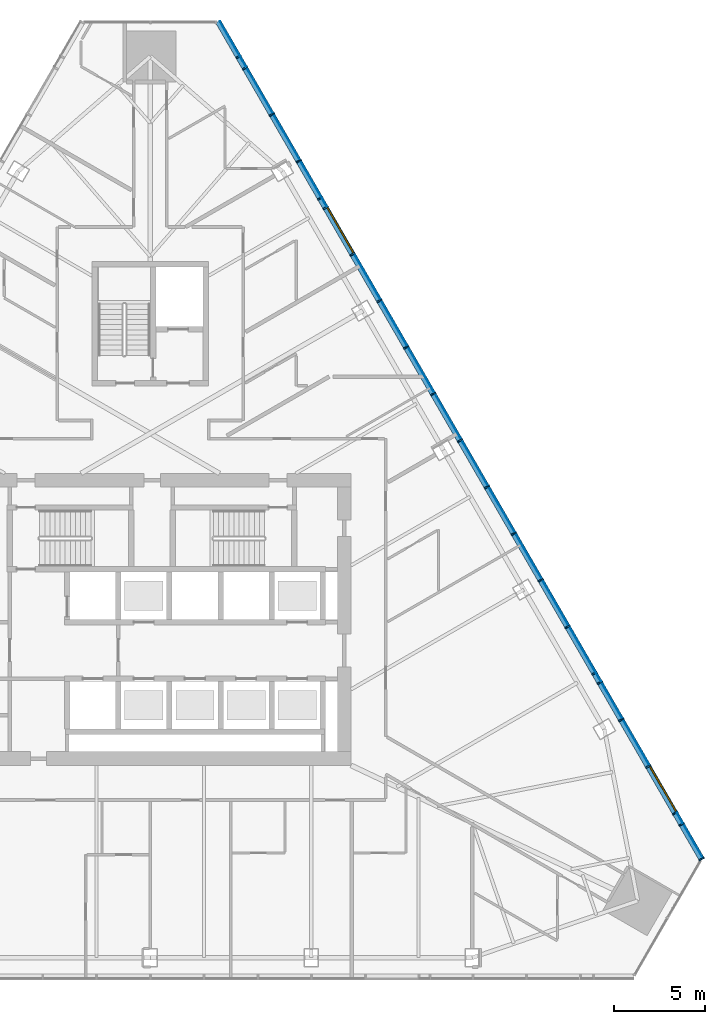
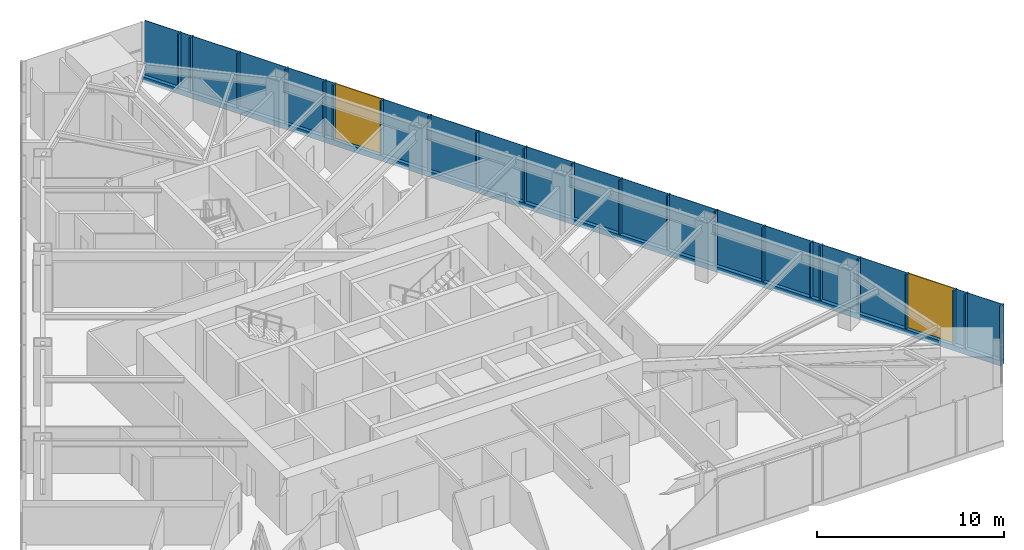
# One storey, part 9 of 19: 23 members, 20 plates, 2 windows, 2 openings, 1 element without a shape of its own.
"""IFC4 building model written with IfcOpenShell, lengths in metres."""

from ifc_helpers import new_model, si_unit, direction, frame, frame_2d, origin, origin_2d, place, context, subcontext, project, spatial, polyline, rectangle, outline, extrude, material, layer, layer_set, material_profile, profile_set, type_object, element, fill, aggregate, save


model = new_model("IFC4")

# Units and contexts
model_context = context("Model", 3, precision=1e-05, world=origin(), true_north=direction((0.0, 1.0)))
body_context = subcontext(model_context, "Body", "Model", "MODEL_VIEW")
ifc_project = project(units=[si_unit("LENGTHUNIT", "METRE"), si_unit("AREAUNIT", "SQUARE_METRE"), si_unit("VOLUMEUNIT", "CUBIC_METRE"), si_unit("PLANEANGLEUNIT", "RADIAN"), si_unit("MASSUNIT", "GRAM", prefix="KILO")], contexts=[model_context])

# Site, building, storey
site_placement = place(None, origin())
site = spatial("IfcSite", under=ifc_project, at=site_placement, CompositionType="ELEMENT")
building_placement = place(site_placement, origin())
building = spatial("IfcBuilding", under=site, at=building_placement, Name="Firuza Gate Tower and Library", CompositionType="ELEMENT")
storey_placement = place(building_placement, frame((0.0, 0.0, 183.10009765625)))
storey = spatial("IfcBuildingStorey", under=building, at=storey_placement, Name="L42", CompositionType="ELEMENT", Elevation=183.10009765625)

# Curtain wall, openings, members, plates, windows
ifc_material_1 = material(Name="Aluminium 6063-T6", Category="aluminium")
ifc_layer_1 = layer(ifc_material_1, 0.14990234375)
ifc_layer_set_1 = layer_set([ifc_layer_1], Name="Unitised curtain wall, hotel")
curtain_wall_type = type_object("IfcCurtainWallType", Name="Unitised curtain wall, hotel", PredefinedType="NOTDEFINED", material=ifc_layer_set_1)
curtain_wall_placement = place(storey_placement, origin())
curtain_wall = element("IfcCurtainWall", 1, at=curtain_wall_placement, inside=storey, type_object=curtain_wall_type, Name="CW2 L42 E face", PredefinedType="NOTDEFINED")
opening_1_placement = place(curtain_wall_placement, frame((103.812255859375, 64.466064453125, 0.14990234375), z_axis=(0.0, 0.0, 1.0), x_axis=(-0.5, 0.866025, 0.0)))
opening_1 = element("IfcOpeningElement", 2, at=opening_1_placement, cuts=curtain_wall, Name="Opening WD1-001", PredefinedType="OPENING", context=body_context, shape_type="SweptSolid", body=[
    extrude(rectangle(XDim=2.8662109375, YDim=3.550048828125, at=frame_2d((1.43310546875, 1.77490234375))), frame((0.0, 0.0849609375, 0.0), z_axis=(0.0, -1.0, 0.0), x_axis=(1.0, 0.0, 0.0)), (0.0, 0.0, 1.0), 0.169921875),
])
opening_2_placement = place(curtain_wall_placement, frame((86.1357421875, 95.082763671875, 0.14990234375), z_axis=(0.0, 0.0, 1.0), x_axis=(-0.5, 0.866025, 0.0)))
opening_2 = element("IfcOpeningElement", 3, at=opening_2_placement, cuts=curtain_wall, Name="Opening WD1-002", PredefinedType="OPENING", context=body_context, shape_type="SweptSolid", body=[
    extrude(rectangle(XDim=2.8662109375, YDim=3.550048828125, at=frame_2d((1.43310546875, 1.77490234375))), frame((0.0, 0.0849609375, 0.0), z_axis=(0.0, -1.0, 0.0), x_axis=(1.0, 0.0, 0.0)), (0.0, 0.0, 1.0), 0.169921875),
])
ifc_material_2 = material(Name="Aluminium 6063-T6", Category="aluminium")
ifc_material_profile_1 = material_profile(ifc_material_2, rectangle(XDim=0.320068359375, YDim=0.080078125, at=origin_2d()))
ifc_profile_set_1 = profile_set([ifc_material_profile_1], Name="Aluminium 6063-T6")
member_type_1 = type_object("IfcMemberType", Name="Curtain wall mullion 80x320", PredefinedType="MULLION", material=ifc_profile_set_1)
member_1_placement = place(storey_placement, frame((105.211669921875, 61.872314453125, 0.14990234375), z_axis=(0.0, 0.0, 1.0), x_axis=(-0.866025403784, -0.5, 0.0)))
member_1 = element("IfcMember", 4, at=member_1_placement, type_object=member_type_1, Name="Mullion", PredefinedType="MULLION", context=body_context, shape_type="SweptSolid", body=[
    extrude(rectangle(XDim=0.320068359375, YDim=0.080078125, at=origin_2d()), origin(), (0.0, 0.0, 1.0), 3.550048828125),
])
member_2_placement = place(storey_placement, frame((103.7587890625, 64.388916015625, 0.14990234375), z_axis=(0.0, 0.0, 1.0), x_axis=(-0.866025403784, -0.5, 0.0)))
member_2 = element("IfcMember", 5, at=member_2_placement, type_object=member_type_1, Name="Mullion", PredefinedType="MULLION", context=body_context, shape_type="SweptSolid", body=[
    extrude(rectangle(XDim=0.320068359375, YDim=0.080078125, at=origin_2d()), origin(), (0.0, 0.0, 1.0), 3.550048828125),
])
member_3_placement = place(storey_placement, frame((102.28564453125, 66.9404296875, 0.14990234375), z_axis=(0.0, 0.0, 1.0), x_axis=(-0.866025403784, -0.5, 0.0)))
member_3 = element("IfcMember", 6, at=member_3_placement, type_object=member_type_1, Name="Mullion", PredefinedType="MULLION", context=body_context, shape_type="SweptSolid", body=[
    extrude(rectangle(XDim=0.320068359375, YDim=0.080078125, at=origin_2d()), origin(), (0.0, 0.0, 1.0), 3.550048828125),
])
member_4_placement = place(storey_placement, frame((100.812744140625, 69.49169921875, 0.14990234375), z_axis=(0.0, 0.0, 1.0), x_axis=(-0.866025403784, -0.5, 0.0)))
member_4 = element("IfcMember", 7, at=member_4_placement, type_object=member_type_1, Name="Mullion", PredefinedType="MULLION", context=body_context, shape_type="SweptSolid", body=[
    extrude(rectangle(XDim=0.320068359375, YDim=0.080078125, at=origin_2d()), origin(), (0.0, 0.0, 1.0), 3.550048828125),
])
member_5_placement = place(storey_placement, frame((99.339599609375, 72.043212890625, 0.14990234375), z_axis=(0.0, 0.0, 1.0), x_axis=(-0.866025403784, -0.5, 0.0)))
member_5 = element("IfcMember", 8, at=member_5_placement, type_object=member_type_1, Name="Mullion", PredefinedType="MULLION", context=body_context, shape_type="SweptSolid", body=[
    extrude(rectangle(XDim=0.320068359375, YDim=0.080078125, at=origin_2d()), origin(), (0.0, 0.0, 1.0), 3.550048828125),
])
member_6_placement = place(storey_placement, frame((97.866455078125, 74.594482421875, 0.14990234375), z_axis=(0.0, 0.0, 1.0), x_axis=(-0.866025403784, -0.5, 0.0)))
member_6 = element("IfcMember", 9, at=member_6_placement, type_object=member_type_1, Name="Mullion", PredefinedType="MULLION", context=body_context, shape_type="SweptSolid", body=[
    extrude(rectangle(XDim=0.320068359375, YDim=0.080078125, at=origin_2d()), origin(), (0.0, 0.0, 1.0), 3.550048828125),
])
member_7_placement = place(storey_placement, frame((96.3935546875, 77.14599609375, 0.14990234375), z_axis=(0.0, 0.0, 1.0), x_axis=(-0.866025403784, -0.5, 0.0)))
member_7 = element("IfcMember", 10, at=member_7_placement, type_object=member_type_1, Name="Mullion", PredefinedType="MULLION", context=body_context, shape_type="SweptSolid", body=[
    extrude(rectangle(XDim=0.320068359375, YDim=0.080078125, at=origin_2d()), origin(), (0.0, 0.0, 1.0), 3.550048828125),
])
member_8_placement = place(storey_placement, frame((94.92041015625, 79.697265625, 0.14990234375), z_axis=(0.0, 0.0, 1.0), x_axis=(-0.866025403784, -0.5, 0.0)))
member_8 = element("IfcMember", 11, at=member_8_placement, type_object=member_type_1, Name="Mullion", PredefinedType="MULLION", context=body_context, shape_type="SweptSolid", body=[
    extrude(rectangle(XDim=0.320068359375, YDim=0.080078125, at=origin_2d()), origin(), (0.0, 0.0, 1.0), 3.550048828125),
])
member_9_placement = place(storey_placement, frame((93.447509765625, 82.248779296875, 0.14990234375), z_axis=(0.0, 0.0, 1.0), x_axis=(-0.866025403784, -0.5, 0.0)))
member_9 = element("IfcMember", 12, at=member_9_placement, type_object=member_type_1, Name="Mullion", PredefinedType="MULLION", context=body_context, shape_type="SweptSolid", body=[
    extrude(rectangle(XDim=0.320068359375, YDim=0.080078125, at=origin_2d()), origin(), (0.0, 0.0, 1.0), 3.550048828125),
])
member_10_placement = place(storey_placement, frame((91.974365234375, 84.800048828125, 0.14990234375), z_axis=(0.0, 0.0, 1.0), x_axis=(-0.866025403784, -0.5, 0.0)))
member_10 = element("IfcMember", 13, at=member_10_placement, type_object=member_type_1, Name="Mullion", PredefinedType="MULLION", context=body_context, shape_type="SweptSolid", body=[
    extrude(rectangle(XDim=0.320068359375, YDim=0.080078125, at=origin_2d()), origin(), (0.0, 0.0, 1.0), 3.550048828125),
])
member_11_placement = place(storey_placement, frame((90.501220703125, 87.3515625, 0.14990234375), z_axis=(0.0, 0.0, 1.0), x_axis=(-0.866025403784, -0.5, 0.0)))
member_11 = element("IfcMember", 14, at=member_11_placement, type_object=member_type_1, Name="Mullion", PredefinedType="MULLION", context=body_context, shape_type="SweptSolid", body=[
    extrude(rectangle(XDim=0.320068359375, YDim=0.080078125, at=origin_2d()), origin(), (0.0, 0.0, 1.0), 3.550048828125),
])
member_12_placement = place(storey_placement, frame((89.0283203125, 89.90283203125, 0.14990234375), z_axis=(0.0, 0.0, 1.0), x_axis=(-0.866025403784, -0.5, 0.0)))
member_12 = element("IfcMember", 15, at=member_12_placement, type_object=member_type_1, Name="Mullion", PredefinedType="MULLION", context=body_context, shape_type="SweptSolid", body=[
    extrude(rectangle(XDim=0.320068359375, YDim=0.080078125, at=origin_2d()), origin(), (0.0, 0.0, 1.0), 3.550048828125),
])
member_13_placement = place(storey_placement, frame((87.55517578125, 92.454345703125, 0.14990234375), z_axis=(0.0, 0.0, 1.0), x_axis=(-0.866025403784, -0.5, 0.0)))
member_13 = element("IfcMember", 16, at=member_13_placement, type_object=member_type_1, Name="Mullion", PredefinedType="MULLION", context=body_context, shape_type="SweptSolid", body=[
    extrude(rectangle(XDim=0.320068359375, YDim=0.080078125, at=origin_2d()), origin(), (0.0, 0.0, 1.0), 3.550048828125),
])
member_14_placement = place(storey_placement, frame((86.082275390625, 95.005615234375, 0.14990234375), z_axis=(0.0, 0.0, 1.0), x_axis=(-0.866025403784, -0.5, 0.0)))
member_14 = element("IfcMember", 17, at=member_14_placement, type_object=member_type_1, Name="Mullion", PredefinedType="MULLION", context=body_context, shape_type="SweptSolid", body=[
    extrude(rectangle(XDim=0.320068359375, YDim=0.080078125, at=origin_2d()), origin(), (0.0, 0.0, 1.0), 3.550048828125),
])
member_15_placement = place(storey_placement, frame((84.609130859375, 97.55712890625, 0.14990234375), z_axis=(0.0, 0.0, 1.0), x_axis=(-0.866025403784, -0.5, 0.0)))
member_15 = element("IfcMember", 18, at=member_15_placement, type_object=member_type_1, Name="Mullion", PredefinedType="MULLION", context=body_context, shape_type="SweptSolid", body=[
    extrude(rectangle(XDim=0.320068359375, YDim=0.080078125, at=origin_2d()), origin(), (0.0, 0.0, 1.0), 3.550048828125),
])
member_16_placement = place(storey_placement, frame((83.135986328125, 100.1083984375, 0.14990234375), z_axis=(0.0, 0.0, 1.0), x_axis=(-0.866025403784, -0.5, 0.0)))
member_16 = element("IfcMember", 19, at=member_16_placement, type_object=member_type_1, Name="Mullion", PredefinedType="MULLION", context=body_context, shape_type="SweptSolid", body=[
    extrude(rectangle(XDim=0.320068359375, YDim=0.080078125, at=origin_2d()), origin(), (0.0, 0.0, 1.0), 3.550048828125),
])
member_17_placement = place(storey_placement, frame((81.6630859375, 102.659912109375, 0.14990234375), z_axis=(0.0, 0.0, 1.0), x_axis=(-0.866025403784, -0.5, 0.0)))
member_17 = element("IfcMember", 20, at=member_17_placement, type_object=member_type_1, Name="Mullion", PredefinedType="MULLION", context=body_context, shape_type="SweptSolid", body=[
    extrude(rectangle(XDim=0.320068359375, YDim=0.080078125, at=origin_2d()), origin(), (0.0, 0.0, 1.0), 3.550048828125),
])
member_18_placement = place(storey_placement, frame((80.18994140625, 105.211181640625, 0.14990234375), z_axis=(0.0, 0.0, 1.0), x_axis=(-0.866025403784, -0.5, 0.0)))
member_18 = element("IfcMember", 21, at=member_18_placement, type_object=member_type_1, Name="Mullion", PredefinedType="MULLION", context=body_context, shape_type="SweptSolid", body=[
    extrude(rectangle(XDim=0.320068359375, YDim=0.080078125, at=origin_2d()), origin(), (0.0, 0.0, 1.0), 3.550048828125),
])
member_19_placement = place(storey_placement, frame((104.11572265625, 63.7705078125, 0.14990234375), z_axis=(0.0, 0.0, 1.0), x_axis=(-0.866025403784, -0.5, 0.0)))
member_19 = element("IfcMember", 22, at=member_19_placement, type_object=member_type_1, Name="Mullion", PredefinedType="MULLION", context=body_context, shape_type="SweptSolid", body=[
    extrude(rectangle(XDim=0.320068359375, YDim=0.080078125, at=origin_2d()), origin(), (0.0, 0.0, 1.0), 3.550048828125),
])
member_20_placement = place(storey_placement, frame((99.634765625, 71.53173828125, 0.14990234375), z_axis=(0.0, 0.0, 1.0), x_axis=(-0.866025403784, -0.5, 0.0)))
member_20 = element("IfcMember", 23, at=member_20_placement, type_object=member_type_1, Name="Mullion", PredefinedType="MULLION", context=body_context, shape_type="SweptSolid", body=[
    extrude(rectangle(XDim=0.320068359375, YDim=0.080078125, at=origin_2d()), origin(), (0.0, 0.0, 1.0), 3.550048828125),
])
member_21_placement = place(storey_placement, frame((84.31396484375, 98.068359375, 0.14990234375), z_axis=(0.0, 0.0, 1.0), x_axis=(-0.866025403784, -0.5, 0.0)))
member_21 = element("IfcMember", 24, at=member_21_placement, type_object=member_type_1, Name="Mullion", PredefinedType="MULLION", context=body_context, shape_type="SweptSolid", body=[
    extrude(rectangle(XDim=0.320068359375, YDim=0.080078125, at=origin_2d()), origin(), (0.0, 0.0, 1.0), 3.550048828125),
])
member_22_placement = place(storey_placement, frame((79.8330078125, 105.82958984375, 0.14990234375), z_axis=(0.0, 0.0, 1.0), x_axis=(-0.866025403784, -0.5, 0.0)))
member_22 = element("IfcMember", 25, at=member_22_placement, type_object=member_type_1, Name="Mullion", PredefinedType="MULLION", context=body_context, shape_type="SweptSolid", body=[
    extrude(rectangle(XDim=0.320068359375, YDim=0.080078125, at=origin_2d()), origin(), (0.0, 0.0, 1.0), 3.550048828125),
])
ifc_material_3 = material(Name="Aluminium 6063-T6", Category="aluminium")
ifc_material_profile_2 = material_profile(ifc_material_3, rectangle(XDim=0.320068359375, YDim=0.35009765625, at=origin_2d()))
ifc_profile_set_2 = profile_set([ifc_material_profile_2], Name="Aluminium 6063-T6")
member_type_2 = type_object("IfcMemberType", Name="Curtain wall transom 350x320", PredefinedType="USERDEFINED", material=ifc_profile_set_2)
member_23_placement = place(storey_placement, frame((105.231689453125, 61.837646484375, -0.025146484375), z_axis=(-0.500000753464, 0.866024968771, 0.0), x_axis=(-0.866024968771, -0.500000753464, 0.0)))
member_23 = element("IfcMember", 26, at=member_23_placement, type_object=member_type_2, Name="Transom", ObjectType="TRANSOM", PredefinedType="USERDEFINED", context=body_context, shape_type="SweptSolid", body=[
    extrude(rectangle(XDim=0.320068359375, YDim=0.35009765625, at=origin_2d()), origin(), (0.0, 0.0, 1.0), 53.02978515625),
])
ifc_material_4 = material(Name="Fritted glass", Category="glass")
ifc_layer_2 = layer(ifc_material_4, 0.030029296875)
ifc_layer_set_2 = layer_set([ifc_layer_2], Name="Fritted glass unit, hotel")
plate_type_1 = type_object("IfcPlateType", Name="Fritted glass unit, hotel", PredefinedType="CURTAIN_PANEL", material=ifc_layer_set_2)
plate_1_placement = place(storey_placement, frame((104.182373046875, 63.855224609375, 0.14990234375), z_axis=(0.86593548506, 0.500155711468, 0.0), x_axis=(-0.500155711468, 0.86593548506, 0.0)))
plate_1 = element("IfcPlate", 27, at=plate_1_placement, type_object=plate_type_1, Name="Glass unit", PredefinedType="CURTAIN_PANEL", context=body_context, shape_type="SweptSolid", body=[
    extrude(outline(polyline([(0.0, 0.0), (0.6340798767325844, 0.0), (0.6340798767325844, 3.550048828125), (0.0, 3.550048828125), (0.0, 0.0)])), origin(), (0.0, 0.0, -1.0), 0.030029296875),
])
plate_2_placement = place(storey_placement, frame((99.701416015625, 71.616455078125, 0.14990234375), z_axis=(0.866145771757, 0.499791458579, 0.0), x_axis=(-0.499791458579, 0.866145771757, 0.0)))
plate_2 = element("IfcPlate", 28, at=plate_2_placement, type_object=plate_type_1, Name="Glass unit", PredefinedType="CURTAIN_PANEL", context=body_context, shape_type="SweptSolid", body=[
    extrude(outline(polyline([(0.0, 0.0), (0.5104668131996779, 0.0), (0.5104668131996779, 3.550048828125), (0.0, 3.550048828125), (0.0, 0.0)])), origin(), (0.0, 0.0, -1.0), 0.030029296875),
])
plate_3_placement = place(storey_placement, frame((99.40625, 72.1279296875, 0.14990234375), z_axis=(0.866001162221, 0.500041985268, 0.0), x_axis=(-0.500041985268, 0.866001162221, 0.0)))
plate_3 = element("IfcPlate", 29, at=plate_3_placement, type_object=plate_type_1, Name="Glass unit", PredefinedType="CURTAIN_PANEL", context=body_context, shape_type="SweptSolid", body=[
    extrude(outline(polyline([(0.0, 0.0), (2.865970280436618, 0.0), (2.865970280436618, 3.550048828125), (0.0, 3.550048828125), (0.0, 0.0)])), origin(), (0.0, 0.0, -1.0), 0.030029296875),
])
plate_4_placement = place(storey_placement, frame((94.987060546875, 79.781982421875, 0.14990234375), z_axis=(0.866022459948, 0.500005098839, 0.0), x_axis=(-0.500005098839, 0.866022459948, 0.0)))
plate_4 = element("IfcPlate", 30, at=plate_4_placement, type_object=plate_type_1, Name="Glass unit", PredefinedType="CURTAIN_PANEL", context=body_context, shape_type="SweptSolid", body=[
    extrude(outline(polyline([(0.0, 0.0), (2.8661817091015296, 0.0), (2.8661817091015296, 3.550048828125), (0.0, 3.550048828125), (0.0, 0.0)])), origin(), (0.0, 0.0, -1.0), 0.030029296875),
])
plate_5_placement = place(storey_placement, frame((90.56787109375, 87.436279296875, 0.14990234375), z_axis=(0.866001162221, 0.500041985268, 0.0), x_axis=(-0.500041985268, 0.866001162221, 0.0)))
plate_5 = element("IfcPlate", 31, at=plate_5_placement, type_object=plate_type_1, Name="Glass unit", PredefinedType="CURTAIN_PANEL", context=body_context, shape_type="SweptSolid", body=[
    extrude(outline(polyline([(0.0, 0.0), (2.865970280436618, 0.0), (2.865970280436618, 3.550048828125), (0.0, 3.550048828125), (0.0, 0.0)])), origin(), (0.0, 0.0, -1.0), 0.030029296875),
])
plate_6_placement = place(storey_placement, frame((84.67578125, 97.641845703125, 0.14990234375), z_axis=(0.865819023004, 0.500357291747, 0.0), x_axis=(-0.500357291747, 0.865819023004, 0.0)))
plate_6 = element("IfcPlate", 32, at=plate_6_placement, type_object=plate_type_1, Name="Glass unit", PredefinedType="CURTAIN_PANEL", context=body_context, shape_type="SweptSolid", body=[
    extrude(outline(polyline([(0.0, 0.0), (0.5103774801769064, 0.0), (0.5103774801769064, 3.550048828125), (0.0, 3.550048828125), (0.0, 0.0)])), origin(), (0.0, 0.0, -1.0), 0.030029296875),
])
plate_7_placement = place(storey_placement, frame((81.7294921875, 102.74462890625, 0.14990234375), z_axis=(0.866038050133, 0.499978095242, 0.0), x_axis=(-0.499978095242, 0.866038050133, 0.0)))
plate_7 = element("IfcPlate", 33, at=plate_7_placement, type_object=plate_type_1, Name="Glass unit", PredefinedType="CURTAIN_PANEL", context=body_context, shape_type="SweptSolid", body=[
    extrude(outline(polyline([(0.0, 0.0), (2.865848207672718, 0.0), (2.865848207672718, 3.550048828125), (0.0, 3.550048828125), (0.0, 0.0)])), origin(), (0.0, 0.0, -1.0), 0.030029296875),
])
plate_8_placement = place(storey_placement, frame((80.256591796875, 105.2958984375, 0.14990234375), z_axis=(0.86593548506, 0.500155711468, 0.0), x_axis=(-0.500155711468, 0.86593548506, 0.0)))
plate_8 = element("IfcPlate", 34, at=plate_8_placement, type_object=plate_type_1, Name="Glass unit", PredefinedType="CURTAIN_PANEL", context=body_context, shape_type="SweptSolid", body=[
    extrude(outline(polyline([(0.0, 0.0), (0.6340798767325844, 0.0), (0.6340798767325844, 3.550048828125), (0.0, 3.550048828125), (0.0, 0.0)])), origin(), (0.0, 0.0, -1.0), 0.030029296875),
])
ifc_material_5 = material(Name="Glazed ceramic tile")
ifc_layer_3 = layer(ifc_material_5, 0.030029296875)
ifc_layer_set_3 = layer_set([ifc_layer_3], Name="Opaque ceramic panel, hotel")
plate_type_2 = type_object("IfcPlateType", Name="Opaque ceramic panel, hotel", PredefinedType="CURTAIN_PANEL", material=ifc_layer_set_3)
plate_9_placement = place(storey_placement, frame((105.29833984375, 61.922119140625, 0.14990234375), z_axis=(0.866049569431, 0.499958141536, 0.0), x_axis=(-0.499958141536, 0.866049569431, 0.0)))
plate_9 = element("IfcPlate", 35, at=plate_9_placement, type_object=plate_type_2, Name="Opaque ceramic panel", PredefinedType="CURTAIN_PANEL", context=body_context, shape_type="SweptSolid", body=[
    extrude(outline(polyline([(0.0, 0.0), (2.1520356305631108, 0.0), (2.1520356305631108, 3.550048828125), (0.0, 3.550048828125), (0.0, 0.0)])), origin(), (0.0, 0.0, -1.0), 0.030029296875),
])
plate_10_placement = place(storey_placement, frame((102.352294921875, 67.02490234375, 0.14990234375), z_axis=(0.866022459948, 0.500005098839, 0.0), x_axis=(-0.500005098839, 0.866022459948, 0.0)))
plate_10 = element("IfcPlate", 36, at=plate_10_placement, type_object=plate_type_2, Name="Opaque ceramic panel", PredefinedType="CURTAIN_PANEL", context=body_context, shape_type="SweptSolid", body=[
    extrude(outline(polyline([(0.0, 0.0), (2.8661817091015296, 0.0), (2.8661817091015296, 3.550048828125), (0.0, 3.550048828125), (0.0, 0.0)])), origin(), (0.0, 0.0, -1.0), 0.030029296875),
])
plate_11_placement = place(storey_placement, frame((100.879150390625, 69.576416015625, 0.14990234375), z_axis=(0.866042656442, 0.49997011633, 0.0), x_axis=(-0.49997011633, 0.866042656442, 0.0)))
plate_11 = element("IfcPlate", 37, at=plate_11_placement, type_object=plate_type_2, Name="Opaque ceramic panel", PredefinedType="CURTAIN_PANEL", context=body_context, shape_type="SweptSolid", body=[
    extrude(outline(polyline([(0.0, 0.0), (2.275526627172101, 0.0), (2.275526627172101, 3.550048828125), (0.0, 3.550048828125), (0.0, 0.0)])), origin(), (0.0, 0.0, -1.0), 0.030029296875),
])
plate_12_placement = place(storey_placement, frame((97.93310546875, 74.67919921875, 0.14990234375), z_axis=(0.866022459948, 0.500005098839, 0.0), x_axis=(-0.500005098839, 0.866022459948, 0.0)))
plate_12 = element("IfcPlate", 38, at=plate_12_placement, type_object=plate_type_2, Name="Opaque ceramic panel", PredefinedType="CURTAIN_PANEL", context=body_context, shape_type="SweptSolid", body=[
    extrude(outline(polyline([(0.0, 0.0), (2.8661817091015296, 0.0), (2.8661817091015296, 3.550048828125), (0.0, 3.550048828125), (0.0, 0.0)])), origin(), (0.0, 0.0, -1.0), 0.030029296875),
])
plate_13_placement = place(storey_placement, frame((96.460205078125, 77.230712890625, 0.14990234375), z_axis=(0.866001162221, 0.500041985268, 0.0), x_axis=(-0.500041985268, 0.866001162221, 0.0)))
plate_13 = element("IfcPlate", 39, at=plate_13_placement, type_object=plate_type_2, Name="Opaque ceramic panel", PredefinedType="CURTAIN_PANEL", context=body_context, shape_type="SweptSolid", body=[
    extrude(outline(polyline([(0.0, 0.0), (2.865970280436618, 0.0), (2.865970280436618, 3.550048828125), (0.0, 3.550048828125), (0.0, 0.0)])), origin(), (0.0, 0.0, -1.0), 0.030029296875),
])
plate_14_placement = place(storey_placement, frame((93.513916015625, 82.33349609375, 0.14990234375), z_axis=(0.866038050133, 0.499978095242, 0.0), x_axis=(-0.499978095242, 0.866038050133, 0.0)))
plate_14 = element("IfcPlate", 40, at=plate_14_placement, type_object=plate_type_2, Name="Opaque ceramic panel", PredefinedType="CURTAIN_PANEL", context=body_context, shape_type="SweptSolid", body=[
    extrude(outline(polyline([(0.0, 0.0), (2.865848207672718, 0.0), (2.865848207672718, 3.550048828125), (0.0, 3.550048828125), (0.0, 0.0)])), origin(), (0.0, 0.0, -1.0), 0.030029296875),
])
plate_15_placement = place(storey_placement, frame((92.041015625, 84.884765625, 0.14990234375), z_axis=(0.866022459948, 0.500005098839, 0.0), x_axis=(-0.500005098839, 0.866022459948, 0.0)))
plate_15 = element("IfcPlate", 41, at=plate_15_placement, type_object=plate_type_2, Name="Opaque ceramic panel", PredefinedType="CURTAIN_PANEL", context=body_context, shape_type="SweptSolid", body=[
    extrude(outline(polyline([(0.0, 0.0), (2.8661817091015296, 0.0), (2.8661817091015296, 3.550048828125), (0.0, 3.550048828125), (0.0, 0.0)])), origin(), (0.0, 0.0, -1.0), 0.030029296875),
])
plate_16_placement = place(storey_placement, frame((89.094970703125, 89.987548828125, 0.14990234375), z_axis=(0.866022459948, 0.500005098839, 0.0), x_axis=(-0.500005098839, 0.866022459948, 0.0)))
plate_16 = element("IfcPlate", 42, at=plate_16_placement, type_object=plate_type_2, Name="Opaque ceramic panel", PredefinedType="CURTAIN_PANEL", context=body_context, shape_type="SweptSolid", body=[
    extrude(outline(polyline([(0.0, 0.0), (2.8661817091015296, 0.0), (2.8661817091015296, 3.550048828125), (0.0, 3.550048828125), (0.0, 0.0)])), origin(), (0.0, 0.0, -1.0), 0.030029296875),
])
plate_17_placement = place(storey_placement, frame((87.621826171875, 92.5390625, 0.14990234375), z_axis=(0.866001162221, 0.500041985268, 0.0), x_axis=(-0.500041985268, 0.866001162221, 0.0)))
plate_17 = element("IfcPlate", 43, at=plate_17_placement, type_object=plate_type_2, Name="Opaque ceramic panel", PredefinedType="CURTAIN_PANEL", context=body_context, shape_type="SweptSolid", body=[
    extrude(outline(polyline([(0.0, 0.0), (2.865970280436618, 0.0), (2.865970280436618, 3.550048828125), (0.0, 3.550048828125), (0.0, 0.0)])), origin(), (0.0, 0.0, -1.0), 0.030029296875),
])
plate_18_placement = place(storey_placement, frame((84.380615234375, 98.153076171875, 0.14990234375), z_axis=(0.865996199233, 0.500050580355, 0.0), x_axis=(-0.500050580355, 0.865996199233, 0.0)))
plate_18 = element("IfcPlate", 44, at=plate_18_placement, type_object=plate_type_2, Name="Opaque ceramic panel", PredefinedType="CURTAIN_PANEL", context=body_context, shape_type="SweptSolid", body=[
    extrude(outline(polyline([(0.0, 0.0), (2.2756487000113155, 0.0), (2.2756487000113155, 3.550048828125), (0.0, 3.550048828125), (0.0, 0.0)])), origin(), (0.0, 0.0, -1.0), 0.030029296875),
])
plate_19_placement = place(storey_placement, frame((83.20263671875, 100.193115234375, 0.14990234375), z_axis=(0.866022459948, 0.500005098839, 0.0), x_axis=(-0.500005098839, 0.866022459948, 0.0)))
plate_19 = element("IfcPlate", 45, at=plate_19_placement, type_object=plate_type_2, Name="Opaque ceramic panel", PredefinedType="CURTAIN_PANEL", context=body_context, shape_type="SweptSolid", body=[
    extrude(outline(polyline([(0.0, 0.0), (2.8661817091015296, 0.0), (2.8661817091015296, 3.550048828125), (0.0, 3.550048828125), (0.0, 0.0)])), origin(), (0.0, 0.0, -1.0), 0.030029296875),
])
plate_20_placement = place(storey_placement, frame((79.8994140625, 105.914306640625, 0.14990234375), z_axis=(0.866049569431, 0.499958141536, 0.0), x_axis=(-0.499958141536, 0.866049569431, 0.0)))
plate_20 = element("IfcPlate", 46, at=plate_20_placement, type_object=plate_type_2, Name="Opaque ceramic panel", PredefinedType="CURTAIN_PANEL", context=body_context, shape_type="SweptSolid", body=[
    extrude(outline(polyline([(0.0, 0.0), (2.1520356305631108, 0.0), (2.1520356305631108, 3.550048828125), (0.0, 3.550048828125), (0.0, 0.0)])), origin(), (0.0, 0.0, -1.0), 0.030029296875),
])
aggregate(curtain_wall, [member_1, member_2, member_3, member_4, member_5, member_6, member_7, member_8, member_9, member_10, member_11, member_12, member_13, member_14, member_15, member_16, member_17, member_18, member_23, plate_9, plate_1, member_19, plate_10, plate_11, plate_2, member_20, plate_3, plate_12, plate_13, plate_4, plate_14, plate_15, plate_5, plate_16, plate_17, plate_6, plate_18, member_21, plate_19, plate_7, plate_8, plate_20, member_22])
ifc_material_6 = material(Name="Aluminium 6063-T6 and glass", Category="aluminium")
ifc_layer_4 = layer(ifc_material_6, 0.030029296875)
ifc_layer_set_4 = layer_set([ifc_layer_4], Name="Operable glazed unit")
window_type = type_object("IfcWindowType", Name="Operable glazed unit", PartitioningType="SINGLE_PANEL", PredefinedType="WINDOW", material=ifc_layer_set_4)
window_1_placement = place(opening_1_placement, origin())
window_1 = element("IfcWindow", 47, at=window_1_placement, inside=storey, type_object=window_type, Name="Operable glazed unit", OverallHeight=3.550048828125, OverallWidth=2.8662109375, PartitioningType="SINGLE_PANEL", PredefinedType="WINDOW", context=body_context, shape_type="SweptSolid", body=[
    extrude(rectangle(XDim=2.8662109375, YDim=3.550048828125, at=frame_2d((1.43310546875, 1.77490234375))), frame((0.0, 0.030029296875, 0.0), z_axis=(0.0, -1.0, 0.0), x_axis=(1.0, 0.0, 0.0)), (0.0, 0.0, 1.0), 0.06005859375),
])
fill(opening_1, window_1)
window_2_placement = place(opening_2_placement, origin())
window_2 = element("IfcWindow", 48, at=window_2_placement, inside=storey, type_object=window_type, Name="Operable glazed unit", OverallHeight=3.550048828125, OverallWidth=2.8662109375, PartitioningType="SINGLE_PANEL", PredefinedType="WINDOW", context=body_context, shape_type="SweptSolid", body=[
    extrude(rectangle(XDim=2.8662109375, YDim=3.550048828125, at=frame_2d((1.43310546875, 1.77490234375))), frame((0.0, 0.030029296875, 0.0), z_axis=(0.0, -1.0, 0.0), x_axis=(1.0, 0.0, 0.0)), (0.0, 0.0, 1.0), 0.06005859375),
])
fill(opening_2, window_2)

save(model, "model.ifc")
